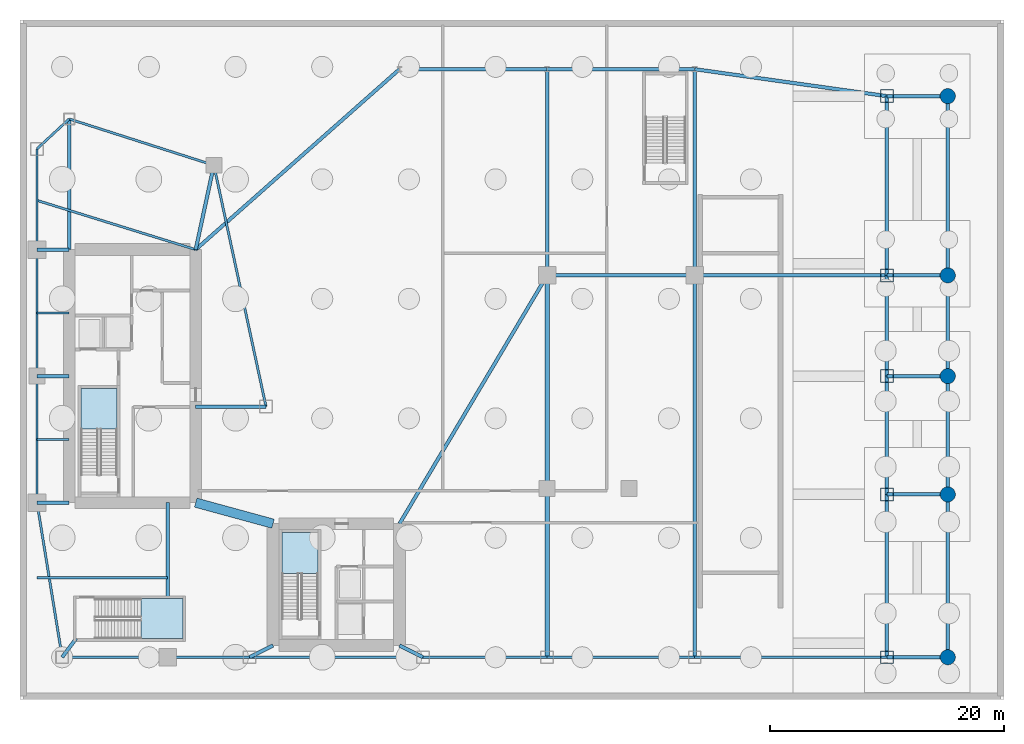
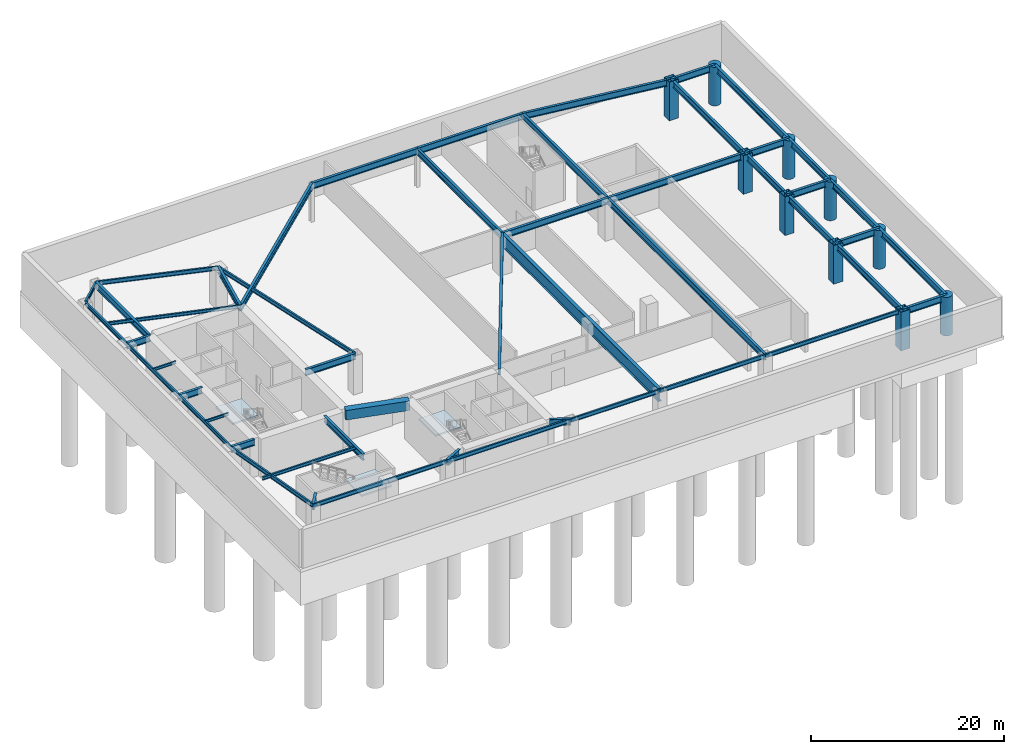
# One storey, part 3 of 12: 52 beams, 10 columns, 3 slabs, 3 elements without a shape of their own.
"""IFC4 building model written with IfcOpenShell, lengths in metres."""

from ifc_helpers import new_model, si_unit, direction, frame, origin, origin_2d, place, context, subcontext, project, spatial, polyline, rectangle, hollow_rectangle, circle, i_section, outline, extrude, material, layer, layer_set, material_profile, profile_set, type_object, element, aggregate, save


model = new_model("IFC4")

# Units and contexts
model_context = context("Model", 3, precision=1e-05, world=origin(), true_north=direction((0.0, 1.0)))
body_context = subcontext(model_context, "Body", "Model", "MODEL_VIEW")
ifc_project = project(units=[si_unit("LENGTHUNIT", "METRE"), si_unit("AREAUNIT", "SQUARE_METRE"), si_unit("VOLUMEUNIT", "CUBIC_METRE"), si_unit("PLANEANGLEUNIT", "RADIAN"), si_unit("MASSUNIT", "GRAM", prefix="KILO")], contexts=[model_context])

# Site, building, storey
site_placement = place(None, origin())
site = spatial("IfcSite", under=ifc_project, at=site_placement, CompositionType="ELEMENT")
building_placement = place(site_placement, origin())
building = spatial("IfcBuilding", under=site, at=building_placement, Name="Calvorn Quay Hotel", CompositionType="ELEMENT")
storey_placement = place(building_placement, frame((0.0, 0.0, -10.39990234375)))
storey = spatial("IfcBuildingStorey", under=building, at=storey_placement, Name="B2", CompositionType="ELEMENT", Elevation=-10.39990234375)

# Columns
ifc_material_1 = material(Name="Concrete C60", Category="concrete")
ifc_material_profile_1 = material_profile(ifc_material_1, circle(Radius=0.64990234375, at=origin_2d()), Name="RCD1300")
ifc_profile_set_1 = profile_set([ifc_material_profile_1], Name="Concrete C60")
column_type_1 = type_object("IfcColumnType", Name="COL-RC-D1300", PredefinedType="COLUMN", material=ifc_profile_set_1)
for number, where, z_axis, x_axis, name in (
    (1, (79.199951171875, 3.60009765625, 0.0), (0.0, 0.0, 1.0), (1.0, 0.0, 0.0), "Column C-PQ1 (B2)"),
    (2, (79.199951171875, 17.5, 0.0), (0.0, 0.0, 1.0), (1.0, 0.0, 0.0), "Column C-PQ2 (B2)"),
    (3, (79.199951171875, 27.60009765625, 0.0), (0.0, 0.0, 1.0), (1.0, 0.0, 0.0), "Column C-PQ3 (B2)"),
    (4, (79.199951171875, 36.199951171875, 0.0), (0.0, 0.0, 1.0), (1.0, 0.0, 0.0), "Column C-PQ4 (B2)"),
    (5, (79.199951171875, 51.5, 0.0), (0.0, 0.0, 1.0), (1.0, 0.0, 0.0), "Column C-PQ5 (B2)"),
):
    element("IfcColumn", number, at=place(storey_placement, frame(where, z_axis=z_axis, x_axis=x_axis)), inside=storey, type_object=column_type_1, Name=name, PredefinedType="COLUMN", context=body_context, shape_type="SweptSolid", body=[
        extrude(circle(Radius=0.64990234375, at=origin_2d()), origin(), (0.0, 0.0, 1.0), 4.8798828125),
    ])
ifc_material_2 = material(Name="Steel Q420GJC", Category="steel")
ifc_material_profile_2 = material_profile(ifc_material_2, hollow_rectangle(XDim=1.10009765625, YDim=1.10009765625, WallThickness=0.044921875, at=origin_2d()), Name="BOX1100x1100x45")
ifc_profile_set_2 = profile_set([ifc_material_profile_2], Name="Steel Q420GJC")
column_type_2 = type_object("IfcColumnType", Name="COL-STL-MEGA1", PredefinedType="COLUMN", material=ifc_profile_set_2)
for number, where, z_axis, x_axis, name in (
    (6, (74.0, 3.60009765625, 0.0), (0.0, 0.0, 1.0), (1.0, 0.0, 0.0), "Column C-PE1 (B2)"),
    (7, (74.0, 17.5, 0.0), (0.0, 0.0, 1.0), (1.0, 0.0, 0.0), "Column C-PE2 (B2)"),
    (8, (74.0, 27.60009765625, 0.0), (0.0, 0.0, 1.0), (1.0, 0.0, 0.0), "Column C-PE3 (B2)"),
    (9, (74.0, 36.199951171875, 0.0), (0.0, 0.0, 1.0), (1.0, 0.0, 0.0), "Column C-PE4 (B2)"),
    (10, (74.0, 51.5, 0.0), (0.0, 0.0, 1.0), (1.0, 0.0, 0.0), "Column C-PE5 (B2)"),
):
    element("IfcColumn", number, at=place(storey_placement, frame(where, z_axis=z_axis, x_axis=x_axis)), inside=storey, type_object=column_type_2, Name=name, PredefinedType="COLUMN", context=body_context, shape_type="SweptSolid", body=[
        extrude(hollow_rectangle(XDim=1.10009765625, YDim=1.10009765625, WallThickness=0.044921875, at=origin_2d()), origin(), (0.0, 0.0, 1.0), 4.8798828125),
    ])

# Beams
ifc_material_3 = material(Name="Steel Q390GJC", Category="steel")
ifc_material_profile_3 = material_profile(ifc_material_3, i_section(OverallWidth=0.300048828125, OverallDepth=0.800048828125, WebThickness=0.013916015625, FlangeThickness=0.02587890625, FilletRadius=0.02392578125, at=origin_2d()), Name="HN800x300x14x26")
ifc_profile_set_3 = profile_set([ifc_material_profile_3], Name="Steel Q390GJC")
beam_type_1 = type_object("IfcBeamType", Name="BM-GIRD-POD", PredefinedType="BEAM", material=ifc_profile_set_3)
beam_1_placement = place(storey_placement, frame((3.60009765625, 3.60009765625, 4.47998046875), z_axis=(0.600019532502, 0.799985350251, 0.0), x_axis=(-0.799985350251, 0.600019532502, 0.0)))
element("IfcBeam", 11, at=beam_1_placement, inside=storey, type_object=beam_type_1, Name="Beam BG-B2-W0", PredefinedType="BEAM", context=body_context, shape_type="SweptSolid", body=[
    extrude(i_section(OverallWidth=0.300048828125, OverallDepth=0.800048828125, WebThickness=0.013916015625, FlangeThickness=0.02587890625, FilletRadius=0.02392578125, at=origin_2d()), origin(), (0.0, 0.0, 1.0), 1.999755859375),
])
for number, where, z_axis, x_axis, name in (
    (12, (1.449951171875, 16.800048828125, 4.47998046875), (1.0, 0.0, 0.0), (0.0, 1.0, 0.0), "Beam BG-B2-W1"),
    (13, (1.449951171875, 27.60009765625, 4.47998046875), (1.0, 0.0, 0.0), (0.0, 1.0, 0.0), "Beam BG-B2-W2"),
    (14, (1.449951171875, 38.39990234375, 4.47998046875), (1.0, 0.0, 0.0), (0.0, 1.0, 0.0), "Beam BG-B2-W3"),
):
    element("IfcBeam", number, at=place(storey_placement, frame(where, z_axis=z_axis, x_axis=x_axis)), inside=storey, type_object=beam_type_1, Name=name, PredefinedType="BEAM", context=body_context, shape_type="SweptSolid", body=[
        extrude(i_section(OverallWidth=0.300048828125, OverallDepth=0.800048828125, WebThickness=0.013916015625, FlangeThickness=0.02587890625, FilletRadius=0.02392578125, at=origin_2d()), origin(), (0.0, 0.0, 1.0), 2.75),
    ])
beam_2_placement = place(storey_placement, frame((4.199951171875, 49.550048828125, 4.47998046875), z_axis=(0.0, -1.0, 0.0), x_axis=(1.0, 0.0, 0.0)))
element("IfcBeam", 15, at=beam_2_placement, inside=storey, type_object=beam_type_1, Name="Beam BG-B2-W5", PredefinedType="BEAM", context=body_context, shape_type="SweptSolid", body=[
    extrude(i_section(OverallWidth=0.300048828125, OverallDepth=0.800048828125, WebThickness=0.013916015625, FlangeThickness=0.02587890625, FilletRadius=0.02392578125, at=origin_2d()), origin(), (0.0, 0.0, 1.0), 11.150146484375),
])
beam_3_placement = place(storey_placement, frame((16.550048828125, 45.60009765625, 4.47998046875), z_axis=(-0.210457140491, -0.97760308511, 0.0), x_axis=(0.97760308511, -0.210457140491, 0.0)))
element("IfcBeam", 16, at=beam_3_placement, inside=storey, type_object=beam_type_1, Name="Beam BG-B2-W6", PredefinedType="BEAM", context=body_context, shape_type="SweptSolid", body=[
    extrude(i_section(OverallWidth=0.300048828125, OverallDepth=0.800048828125, WebThickness=0.013916015625, FlangeThickness=0.02587890625, FilletRadius=0.02392578125, at=origin_2d()), origin(), (0.0, 0.0, 1.0), 7.365234375),
])
beam_4_placement = place(storey_placement, frame((21.0, 25.0, 4.47998046875), z_axis=(-1.0, 0.0, 0.0), x_axis=(0.0, -1.0, 0.0)))
element("IfcBeam", 17, at=beam_4_placement, inside=storey, type_object=beam_type_1, Name="Beam BG-B2-W7", PredefinedType="BEAM", context=body_context, shape_type="SweptSolid", body=[
    extrude(i_section(OverallWidth=0.300048828125, OverallDepth=0.800048828125, WebThickness=0.013916015625, FlangeThickness=0.02587890625, FilletRadius=0.02392578125, at=origin_2d()), origin(), (0.0, 0.0, 1.0), 6.0),
])
beam_5_placement = place(storey_placement, frame((12.60009765625, 8.719970703125, 4.47998046875), z_axis=(0.0, 1.0, 0.0), x_axis=(-1.0, 0.0, 0.0)))
element("IfcBeam", 18, at=beam_5_placement, inside=storey, type_object=beam_type_1, Name="Beam BG-B2-S1", PredefinedType="BEAM", context=body_context, shape_type="SweptSolid", body=[
    extrude(i_section(OverallWidth=0.300048828125, OverallDepth=0.800048828125, WebThickness=0.013916015625, FlangeThickness=0.02587890625, FilletRadius=0.02392578125, at=origin_2d()), origin(), (0.0, 0.0, 1.0), 8.080078125),
])
for number, where, z_axis, x_axis, name in (
    (19, (19.60009765625, 3.60009765625, 4.47998046875), (0.894427191, 0.4472135955, 0.0), (-0.4472135955, 0.894427191, 0.0), "Beam BG-B2-S2"),
    (20, (34.39990234375, 3.60009765625, 4.47998046875), (-0.894427191, 0.4472135955, 0.0), (-0.4472135955, -0.894427191, 0.0), "Beam BG-B2-S3"),
):
    element("IfcBeam", number, at=place(storey_placement, frame(where, z_axis=z_axis, x_axis=x_axis)), inside=storey, type_object=beam_type_1, Name=name, PredefinedType="BEAM", context=body_context, shape_type="SweptSolid", body=[
        extrude(i_section(OverallWidth=0.300048828125, OverallDepth=0.800048828125, WebThickness=0.013916015625, FlangeThickness=0.02587890625, FilletRadius=0.02392578125, at=origin_2d()), origin(), (0.0, 0.0, 1.0), 2.236083984375),
    ])
beam_6_placement = place(storey_placement, frame((57.60009765625, 3.60009765625, 4.47998046875), z_axis=(0.0, 1.0, 0.0), x_axis=(-1.0, 0.0, 0.0)))
element("IfcBeam", 21, at=beam_6_placement, inside=storey, type_object=beam_type_1, Name="Beam BG-B2-C-PN2", PredefinedType="BEAM", context=body_context, shape_type="SweptSolid", body=[
    extrude(i_section(OverallWidth=0.300048828125, OverallDepth=0.800048828125, WebThickness=0.013916015625, FlangeThickness=0.02587890625, FilletRadius=0.02392578125, at=origin_2d()), origin(), (0.0, 0.0, 1.0), 32.599853515625),
])
beam_7_placement = place(storey_placement, frame((74.0, 3.60009765625, 4.47998046875), z_axis=(0.0, 1.0, 0.0), x_axis=(-1.0, 0.0, 0.0)))
element("IfcBeam", 22, at=beam_7_placement, inside=storey, type_object=beam_type_1, Name="Beam BG-B2-PE1", PredefinedType="BEAM", context=body_context, shape_type="SweptSolid", body=[
    extrude(i_section(OverallWidth=0.300048828125, OverallDepth=0.800048828125, WebThickness=0.013916015625, FlangeThickness=0.02587890625, FilletRadius=0.02392578125, at=origin_2d()), origin(), (0.0, 0.0, 1.0), 13.89990234375),
])
beam_8_placement = place(storey_placement, frame((74.0, 17.5, 4.47998046875), z_axis=(0.0, 1.0, 0.0), x_axis=(-1.0, 0.0, 0.0)))
element("IfcBeam", 23, at=beam_8_placement, inside=storey, type_object=beam_type_1, Name="Beam BG-B2-PE2", PredefinedType="BEAM", context=body_context, shape_type="SweptSolid", body=[
    extrude(i_section(OverallWidth=0.300048828125, OverallDepth=0.800048828125, WebThickness=0.013916015625, FlangeThickness=0.02587890625, FilletRadius=0.02392578125, at=origin_2d()), origin(), (0.0, 0.0, 1.0), 10.10009765625),
])
beam_9_placement = place(storey_placement, frame((74.0, 27.60009765625, 4.47998046875), z_axis=(0.0, 1.0, 0.0), x_axis=(-1.0, 0.0, 0.0)))
element("IfcBeam", 24, at=beam_9_placement, inside=storey, type_object=beam_type_1, Name="Beam BG-B2-PE3", PredefinedType="BEAM", context=body_context, shape_type="SweptSolid", body=[
    extrude(i_section(OverallWidth=0.300048828125, OverallDepth=0.800048828125, WebThickness=0.013916015625, FlangeThickness=0.02587890625, FilletRadius=0.02392578125, at=origin_2d()), origin(), (0.0, 0.0, 1.0), 8.599853515625),
])
beam_10_placement = place(storey_placement, frame((74.0, 36.199951171875, 4.47998046875), z_axis=(0.0, 1.0, 0.0), x_axis=(-1.0, 0.0, 0.0)))
element("IfcBeam", 25, at=beam_10_placement, inside=storey, type_object=beam_type_1, Name="Beam BG-B2-PE4", PredefinedType="BEAM", context=body_context, shape_type="SweptSolid", body=[
    extrude(i_section(OverallWidth=0.300048828125, OverallDepth=0.800048828125, WebThickness=0.013916015625, FlangeThickness=0.02587890625, FilletRadius=0.02392578125, at=origin_2d()), origin(), (0.0, 0.0, 1.0), 15.300048828125),
])
beam_11_placement = place(storey_placement, frame((32.39990234375, 15.0, 4.47998046875), z_axis=(0.510917247409, 0.859629900771, 0.0), x_axis=(-0.859629900771, 0.510917247409, 0.0)))
element("IfcBeam", 26, at=beam_11_placement, inside=storey, type_object=beam_type_1, Name="Beam BG-B2-PN1", PredefinedType="BEAM", context=body_context, shape_type="SweptSolid", body=[
    extrude(i_section(OverallWidth=0.300048828125, OverallDepth=0.800048828125, WebThickness=0.013916015625, FlangeThickness=0.02587890625, FilletRadius=0.02392578125, at=origin_2d()), origin(), (0.0, 0.0, 1.0), 24.66162109375),
])
beam_12_placement = place(storey_placement, frame((45.0, 36.199951171875, 4.47998046875), z_axis=(1.0, 0.0, 0.0), x_axis=(0.0, 1.0, 0.0)))
element("IfcBeam", 27, at=beam_12_placement, inside=storey, type_object=beam_type_1, Name="Beam BG-B2-PN2", PredefinedType="BEAM", context=body_context, shape_type="SweptSolid", body=[
    extrude(i_section(OverallWidth=0.300048828125, OverallDepth=0.800048828125, WebThickness=0.013916015625, FlangeThickness=0.02587890625, FilletRadius=0.02392578125, at=origin_2d()), origin(), (0.0, 0.0, 1.0), 12.60009765625),
])
beam_13_placement = place(storey_placement, frame((57.60009765625, 36.199951171875, 4.47998046875), z_axis=(1.0, 0.0, 0.0), x_axis=(0.0, 1.0, 0.0)))
element("IfcBeam", 28, at=beam_13_placement, inside=storey, type_object=beam_type_1, Name="Beam BG-B2-PN3", PredefinedType="BEAM", context=body_context, shape_type="SweptSolid", body=[
    extrude(i_section(OverallWidth=0.300048828125, OverallDepth=0.800048828125, WebThickness=0.013916015625, FlangeThickness=0.02587890625, FilletRadius=0.02392578125, at=origin_2d()), origin(), (0.0, 0.0, 1.0), 16.39990234375),
])
beam_14_placement = place(storey_placement, frame((15.0, 38.39990234375, 4.47998046875), z_axis=(0.748827276571, 0.662765199647, 0.0), x_axis=(-0.662765199647, 0.748827276571, 0.0)))
element("IfcBeam", 29, at=beam_14_placement, inside=storey, type_object=beam_type_1, Name="Beam BG-B2-PN4", PredefinedType="BEAM", context=body_context, shape_type="SweptSolid", body=[
    extrude(i_section(OverallWidth=0.300048828125, OverallDepth=0.800048828125, WebThickness=0.013916015625, FlangeThickness=0.02587890625, FilletRadius=0.02392578125, at=origin_2d()), origin(), (0.0, 0.0, 1.0), 23.236083984375),
])
for number, where, z_axis, x_axis, name in (
    (30, (32.39990234375, 53.800048828125, 4.47998046875), (1.0, 0.0, 0.0), (0.0, 1.0, 0.0), "Beam BG-B2-PN5"),
    (31, (45.0, 53.800048828125, 4.47998046875), (1.0, 0.0, 0.0), (0.0, 1.0, 0.0), "Beam BG-B2-PN6"),
):
    element("IfcBeam", number, at=place(storey_placement, frame(where, z_axis=z_axis, x_axis=x_axis)), inside=storey, type_object=beam_type_1, Name=name, PredefinedType="BEAM", context=body_context, shape_type="SweptSolid", body=[
        extrude(i_section(OverallWidth=0.300048828125, OverallDepth=0.800048828125, WebThickness=0.013916015625, FlangeThickness=0.02587890625, FilletRadius=0.02392578125, at=origin_2d()), origin(), (0.0, 0.0, 1.0), 12.60009765625),
    ])
beam_15_placement = place(storey_placement, frame((57.60009765625, 53.800048828125, 4.47998046875), z_axis=(0.990308033684, -0.138888438761, 0.0), x_axis=(0.138888438761, 0.990308033684, 0.0)))
element("IfcBeam", 32, at=beam_15_placement, inside=storey, type_object=beam_type_1, Name="Beam BG-B2-PN7", PredefinedType="BEAM", context=body_context, shape_type="SweptSolid", body=[
    extrude(i_section(OverallWidth=0.300048828125, OverallDepth=0.800048828125, WebThickness=0.013916015625, FlangeThickness=0.02587890625, FilletRadius=0.02392578125, at=origin_2d()), origin(), (0.0, 0.0, 1.0), 16.560302734375),
])
for number, where, z_axis, x_axis, name in (
    (33, (45.0, 36.199951171875, 4.47998046875), (0.0, 1.0, 0.0), (-1.0, 0.0, 0.0), "Beam BG-B2-PN8"),
    (34, (57.60009765625, 36.199951171875, 4.47998046875), (0.0, 1.0, 0.0), (-1.0, 0.0, 0.0), "Beam BG-B2-PN9"),
):
    element("IfcBeam", number, at=place(storey_placement, frame(where, z_axis=z_axis, x_axis=x_axis)), inside=storey, type_object=beam_type_1, Name=name, PredefinedType="BEAM", context=body_context, shape_type="SweptSolid", body=[
        extrude(i_section(OverallWidth=0.300048828125, OverallDepth=0.800048828125, WebThickness=0.013916015625, FlangeThickness=0.02587890625, FilletRadius=0.02392578125, at=origin_2d()), origin(), (0.0, 0.0, 1.0), 17.60009765625),
    ])
beam_16_placement = place(storey_placement, frame((79.199951171875, 3.60009765625, 4.47998046875), z_axis=(0.0, 1.0, 0.0), x_axis=(-1.0, 0.0, 0.0)))
element("IfcBeam", 35, at=beam_16_placement, inside=storey, type_object=beam_type_1, Name="Beam BSP-B2-Q1", PredefinedType="BEAM", context=body_context, shape_type="SweptSolid", body=[
    extrude(i_section(OverallWidth=0.300048828125, OverallDepth=0.800048828125, WebThickness=0.013916015625, FlangeThickness=0.02587890625, FilletRadius=0.02392578125, at=origin_2d()), origin(), (0.0, 0.0, 1.0), 13.89990234375),
])
beam_17_placement = place(storey_placement, frame((79.199951171875, 17.5, 4.47998046875), z_axis=(0.0, 1.0, 0.0), x_axis=(-1.0, 0.0, 0.0)))
element("IfcBeam", 36, at=beam_17_placement, inside=storey, type_object=beam_type_1, Name="Beam BSP-B2-Q2", PredefinedType="BEAM", context=body_context, shape_type="SweptSolid", body=[
    extrude(i_section(OverallWidth=0.300048828125, OverallDepth=0.800048828125, WebThickness=0.013916015625, FlangeThickness=0.02587890625, FilletRadius=0.02392578125, at=origin_2d()), origin(), (0.0, 0.0, 1.0), 10.10009765625),
])
beam_18_placement = place(storey_placement, frame((79.199951171875, 27.60009765625, 4.47998046875), z_axis=(0.0, 1.0, 0.0), x_axis=(-1.0, 0.0, 0.0)))
element("IfcBeam", 37, at=beam_18_placement, inside=storey, type_object=beam_type_1, Name="Beam BSP-B2-Q3", PredefinedType="BEAM", context=body_context, shape_type="SweptSolid", body=[
    extrude(i_section(OverallWidth=0.300048828125, OverallDepth=0.800048828125, WebThickness=0.013916015625, FlangeThickness=0.02587890625, FilletRadius=0.02392578125, at=origin_2d()), origin(), (0.0, 0.0, 1.0), 8.599853515625),
])
beam_19_placement = place(storey_placement, frame((79.199951171875, 36.199951171875, 4.47998046875), z_axis=(0.0, 1.0, 0.0), x_axis=(-1.0, 0.0, 0.0)))
element("IfcBeam", 38, at=beam_19_placement, inside=storey, type_object=beam_type_1, Name="Beam BSP-B2-Q4", PredefinedType="BEAM", context=body_context, shape_type="SweptSolid", body=[
    extrude(i_section(OverallWidth=0.300048828125, OverallDepth=0.800048828125, WebThickness=0.013916015625, FlangeThickness=0.02587890625, FilletRadius=0.02392578125, at=origin_2d()), origin(), (0.0, 0.0, 1.0), 15.300048828125),
])
for number, where, z_axis, x_axis, name in (
    (39, (74.0, 3.60009765625, 4.47998046875), (1.0, 0.0, 0.0), (0.0, 1.0, 0.0), "Beam BG-B2-EQ1"),
    (40, (74.0, 17.5, 4.47998046875), (1.0, 0.0, 0.0), (0.0, 1.0, 0.0), "Beam BG-B2-EQ2"),
    (41, (74.0, 27.60009765625, 4.47998046875), (1.0, 0.0, 0.0), (0.0, 1.0, 0.0), "Beam BG-B2-EQ3"),
    (42, (74.0, 36.199951171875, 4.47998046875), (1.0, 0.0, 0.0), (0.0, 1.0, 0.0), "Beam BG-B2-EQ4"),
    (43, (74.0, 51.5, 4.47998046875), (1.0, 0.0, 0.0), (0.0, 1.0, 0.0), "Beam BG-B2-EQ5"),
):
    element("IfcBeam", number, at=place(storey_placement, frame(where, z_axis=z_axis, x_axis=x_axis)), inside=storey, type_object=beam_type_1, Name=name, PredefinedType="BEAM", context=body_context, shape_type="SweptSolid", body=[
        extrude(i_section(OverallWidth=0.300048828125, OverallDepth=0.800048828125, WebThickness=0.013916015625, FlangeThickness=0.02587890625, FilletRadius=0.02392578125, at=origin_2d()), origin(), (0.0, 0.0, 1.0), 5.199951171875),
    ])
ifc_material_4 = material(Name="Steel Q355B", Category="steel")
ifc_material_profile_4 = material_profile(ifc_material_4, i_section(OverallWidth=0.175048828125, OverallDepth=0.35009765625, WebThickness=0.007080078125, FlangeThickness=0.010986328125, FilletRadius=0.013916015625, at=origin_2d()), Name="HN350x175x7x11")
ifc_profile_set_4 = profile_set([ifc_material_profile_4], Name="Steel Q355B")
beam_type_2 = type_object("IfcBeamType", Name="BM-JOIST-SEC", PredefinedType="JOIST", material=ifc_profile_set_4)
for number, where, z_axis, x_axis, name in (
    (44, (1.449951171875, 22.199951171875, 4.704833984375), (1.0, 0.0, 0.0), (0.0, 1.0, 0.0), "Beam BJ-B2-W3"),
    (45, (1.449951171875, 33.0, 4.704833984375), (1.0, 0.0, 0.0), (0.0, 1.0, 0.0), "Beam BJ-B2-W4"),
):
    element("IfcBeam", number, at=place(storey_placement, frame(where, z_axis=z_axis, x_axis=x_axis)), inside=storey, type_object=beam_type_2, Name=name, PredefinedType="JOIST", context=body_context, shape_type="SweptSolid", body=[
        extrude(i_section(OverallWidth=0.175048828125, OverallDepth=0.35009765625, WebThickness=0.007080078125, FlangeThickness=0.010986328125, FilletRadius=0.013916015625, at=origin_2d()), origin(), (0.0, 0.0, 1.0), 2.75),
    ])
ifc_material_5 = material(Name="Steel Q355B", Category="steel")
ifc_material_profile_5 = material_profile(ifc_material_5, i_section(OverallWidth=0.199951171875, OverallDepth=0.39990234375, WebThickness=0.008056640625, FlangeThickness=0.012939453125, FilletRadius=0.01611328125, at=origin_2d()), Name="HN400x200x8x13")
ifc_profile_set_5 = profile_set([ifc_material_profile_5], Name="Steel Q355B")
beam_type_3 = type_object("IfcBeamType", Name="BM-JOIST-TYP", PredefinedType="JOIST", material=ifc_profile_set_5)
beam_20_placement = place(storey_placement, frame((1.449951171875, 10.39990234375, 4.679931640625), z_axis=(1.0, 0.0, 0.0), x_axis=(0.0, 1.0, 0.0)))
element("IfcBeam", 46, at=beam_20_placement, inside=storey, type_object=beam_type_3, Name="Beam BJ-B2-W1", PredefinedType="JOIST", context=body_context, shape_type="SweptSolid", body=[
    extrude(i_section(OverallWidth=0.199951171875, OverallDepth=0.39990234375, WebThickness=0.008056640625, FlangeThickness=0.012939453125, FilletRadius=0.01611328125, at=origin_2d()), origin(), (0.0, 0.0, 1.0), 11.150146484375),
])
beam_21_placement = place(storey_placement, frame((1.449951171875, 42.60009765625, 4.679931640625), z_axis=(0.955163702122, -0.296078202759, 0.0), x_axis=(0.296078202759, 0.955163702122, 0.0)))
element("IfcBeam", 47, at=beam_21_placement, inside=storey, type_object=beam_type_3, Name="Beam BJ-B2-W2", PredefinedType="JOIST", context=body_context, shape_type="SweptSolid", body=[
    extrude(i_section(OverallWidth=0.199951171875, OverallDepth=0.39990234375, WebThickness=0.008056640625, FlangeThickness=0.012939453125, FilletRadius=0.01611328125, at=origin_2d()), origin(), (0.0, 0.0, 1.0), 14.18603515625),
])
ifc_material_6 = material(Name="Steel Q390GJC", Category="steel")
ifc_material_profile_6 = material_profile(ifc_material_6, i_section(OverallWidth=0.39990234375, OverallDepth=1.60009765625, WebThickness=0.02392578125, FlangeThickness=0.0400390625, at=origin_2d()), Name="HN1600x400x24x40")
ifc_profile_set_6 = profile_set([ifc_material_profile_6], Name="Steel Q390GJC")
beam_type_4 = type_object("IfcBeamType", Name="BM-POD-LONG-1600", PredefinedType="BEAM", material=ifc_profile_set_6)
beam_22_placement = place(storey_placement, frame((45.0, 3.60009765625, 4.079833984375), z_axis=(0.0, 1.0, 0.0), x_axis=(-1.0, 0.0, 0.0)))
element("IfcBeam", 48, at=beam_22_placement, inside=storey, type_object=beam_type_4, Name="Beam BG-B2-C-PN1", PredefinedType="BEAM", context=body_context, shape_type="SweptSolid", body=[
    extrude(i_section(OverallWidth=0.39990234375, OverallDepth=1.60009765625, WebThickness=0.02392578125, FlangeThickness=0.0400390625, at=origin_2d()), origin(), (0.0, 0.0, 1.0), 32.599853515625),
])
ifc_material_7 = material(Name="Concrete C60", Category="concrete")
ifc_material_profile_7 = material_profile(ifc_material_7, rectangle(XDim=0.800048828125, YDim=1.199951171875, at=origin_2d()), Name="RCB800x1200")
ifc_profile_set_7 = profile_set([ifc_material_profile_7], Name="Concrete C60")
beam_type_5 = type_object("IfcBeamType", Name="BM-RC-LINK-800x1200", PredefinedType="BEAM", material=ifc_profile_set_7)
beam_23_placement = place(storey_placement, frame((15.0, 16.800048828125, 4.27978515625), z_axis=(0.964762997686, -0.263120425462, 0.0), x_axis=(0.263120425462, 0.964762997686, 0.0)))
element("IfcBeam", 49, at=beam_23_placement, inside=storey, type_object=beam_type_5, Name="Beam BCL-B2-01", PredefinedType="BEAM", context=body_context, shape_type="SweptSolid", body=[
    extrude(rectangle(XDim=0.800048828125, YDim=1.199951171875, at=origin_2d()), origin(), (0.0, 0.0, 1.0), 6.841064453125),
])
ifc_material_8 = material(Name="Steel Q355B", Category="steel")
ifc_material_profile_8 = material_profile(ifc_material_8, i_section(OverallWidth=0.199951171875, OverallDepth=0.5, WebThickness=0.010009765625, FlangeThickness=0.01611328125, FilletRadius=0.01611328125, at=origin_2d()), Name="HN500x200x10x16")
ifc_profile_set_8 = profile_set([ifc_material_profile_8], Name="Steel Q355B")
beam_type_6 = type_object("IfcBeamType", Name="BM-SPANDREL-Z1", PredefinedType="SPANDREL", material=ifc_profile_set_8)
beam_24_placement = place(storey_placement, frame((3.60009765625, 3.60009765625, 4.6298828125), z_axis=(-0.16077155054, 0.986991645627, 0.0), x_axis=(-0.986991645627, -0.16077155054, 0.0)))
element("IfcBeam", 50, at=beam_24_placement, inside=storey, type_object=beam_type_6, Name="Beam BSP-B2-W1", PredefinedType="SPANDREL", context=body_context, shape_type="SweptSolid", body=[
    extrude(i_section(OverallWidth=0.199951171875, OverallDepth=0.5, WebThickness=0.010009765625, FlangeThickness=0.01611328125, FilletRadius=0.01611328125, at=origin_2d()), origin(), (0.0, 0.0, 1.0), 13.3740234375),
])
beam_25_placement = place(storey_placement, frame((1.449951171875, 16.800048828125, 4.6298828125), z_axis=(0.0, 1.0, 0.0), x_axis=(-1.0, 0.0, 0.0)))
element("IfcBeam", 51, at=beam_25_placement, inside=storey, type_object=beam_type_6, Name="Beam BSP-B2-W2", PredefinedType="SPANDREL", context=body_context, shape_type="SweptSolid", body=[
    extrude(i_section(OverallWidth=0.199951171875, OverallDepth=0.5, WebThickness=0.010009765625, FlangeThickness=0.01611328125, FilletRadius=0.01611328125, at=origin_2d()), origin(), (0.0, 0.0, 1.0), 10.800048828125),
])
beam_26_placement = place(storey_placement, frame((1.449951171875, 27.60009765625, 4.6298828125), z_axis=(0.0, 1.0, 0.0), x_axis=(-1.0, 0.0, 0.0)))
element("IfcBeam", 52, at=beam_26_placement, inside=storey, type_object=beam_type_6, Name="Beam BSP-B2-W3", PredefinedType="SPANDREL", context=body_context, shape_type="SweptSolid", body=[
    extrude(i_section(OverallWidth=0.199951171875, OverallDepth=0.5, WebThickness=0.010009765625, FlangeThickness=0.01611328125, FilletRadius=0.01611328125, at=origin_2d()), origin(), (0.0, 0.0, 1.0), 10.7998046875),
])
beam_27_placement = place(storey_placement, frame((1.449951171875, 38.39990234375, 4.6298828125), z_axis=(0.0, 1.0, 0.0), x_axis=(-1.0, 0.0, 0.0)))
element("IfcBeam", 53, at=beam_27_placement, inside=storey, type_object=beam_type_6, Name="Beam BSP-B2-W4", PredefinedType="SPANDREL", context=body_context, shape_type="SweptSolid", body=[
    extrude(i_section(OverallWidth=0.199951171875, OverallDepth=0.5, WebThickness=0.010009765625, FlangeThickness=0.01611328125, FilletRadius=0.01611328125, at=origin_2d()), origin(), (0.0, 0.0, 1.0), 8.60009765625),
])
beam_28_placement = place(storey_placement, frame((1.449951171875, 47.0, 4.6298828125), z_axis=(0.733261665538, 0.679946563969, 0.0), x_axis=(-0.679946563969, 0.733261665538, 0.0)))
element("IfcBeam", 54, at=beam_28_placement, inside=storey, type_object=beam_type_6, Name="Beam BSP-B2-W5", PredefinedType="SPANDREL", context=body_context, shape_type="SweptSolid", body=[
    extrude(i_section(OverallWidth=0.199951171875, OverallDepth=0.5, WebThickness=0.010009765625, FlangeThickness=0.01611328125, FilletRadius=0.01611328125, at=origin_2d()), origin(), (0.0, 0.0, 1.0), 3.75048828125),
])
beam_29_placement = place(storey_placement, frame((4.199951171875, 49.550048828125, 4.6298828125), z_axis=(0.952470702374, -0.304630203885, 0.0), x_axis=(0.304630203885, 0.952470702374, 0.0)))
element("IfcBeam", 55, at=beam_29_placement, inside=storey, type_object=beam_type_6, Name="Beam BSP-B2-W6", PredefinedType="SPANDREL", context=body_context, shape_type="SweptSolid", body=[
    extrude(i_section(OverallWidth=0.199951171875, OverallDepth=0.5, WebThickness=0.010009765625, FlangeThickness=0.01611328125, FilletRadius=0.01611328125, at=origin_2d()), origin(), (0.0, 0.0, 1.0), 12.96630859375),
])
beam_30_placement = place(storey_placement, frame((16.550048828125, 45.60009765625, 4.6298828125), z_axis=(0.211145848376, -0.977454567084, 0.0), x_axis=(0.977454567084, 0.211145848376, 0.0)))
element("IfcBeam", 56, at=beam_30_placement, inside=storey, type_object=beam_type_6, Name="Beam BSP-B2-W7", PredefinedType="SPANDREL", context=body_context, shape_type="SweptSolid", body=[
    extrude(i_section(OverallWidth=0.199951171875, OverallDepth=0.5, WebThickness=0.010009765625, FlangeThickness=0.01611328125, FilletRadius=0.01611328125, at=origin_2d()), origin(), (0.0, 0.0, 1.0), 21.0751953125),
])
beam_31_placement = place(storey_placement, frame((3.60009765625, 3.60009765625, 4.6298828125), z_axis=(1.0, 0.0, 0.0), x_axis=(0.0, 1.0, 0.0)))
element("IfcBeam", 57, at=beam_31_placement, inside=storey, type_object=beam_type_6, Name="Beam BSP-B2-S1", PredefinedType="SPANDREL", context=body_context, shape_type="SweptSolid", body=[
    extrude(i_section(OverallWidth=0.199951171875, OverallDepth=0.5, WebThickness=0.010009765625, FlangeThickness=0.01611328125, FilletRadius=0.01611328125, at=origin_2d()), origin(), (0.0, 0.0, 1.0), 9.0),
])
beam_32_placement = place(storey_placement, frame((12.60009765625, 3.60009765625, 4.6298828125), z_axis=(1.0, 0.0, 0.0), x_axis=(0.0, 1.0, 0.0)))
element("IfcBeam", 58, at=beam_32_placement, inside=storey, type_object=beam_type_6, Name="Beam BSP-B2-S2", PredefinedType="SPANDREL", context=body_context, shape_type="SweptSolid", body=[
    extrude(i_section(OverallWidth=0.199951171875, OverallDepth=0.5, WebThickness=0.010009765625, FlangeThickness=0.01611328125, FilletRadius=0.01611328125, at=origin_2d()), origin(), (0.0, 0.0, 1.0), 7.0),
])
beam_33_placement = place(storey_placement, frame((19.60009765625, 3.60009765625, 4.6298828125), z_axis=(1.0, 0.0, 0.0), x_axis=(0.0, 1.0, 0.0)))
element("IfcBeam", 59, at=beam_33_placement, inside=storey, type_object=beam_type_6, Name="Beam BSP-B2-S3", PredefinedType="SPANDREL", context=body_context, shape_type="SweptSolid", body=[
    extrude(i_section(OverallWidth=0.199951171875, OverallDepth=0.5, WebThickness=0.010009765625, FlangeThickness=0.01611328125, FilletRadius=0.01611328125, at=origin_2d()), origin(), (0.0, 0.0, 1.0), 14.7998046875),
])
beam_34_placement = place(storey_placement, frame((34.39990234375, 3.60009765625, 4.6298828125), z_axis=(1.0, 0.0, 0.0), x_axis=(0.0, 1.0, 0.0)))
element("IfcBeam", 60, at=beam_34_placement, inside=storey, type_object=beam_type_6, Name="Beam BSP-B2-S4", PredefinedType="SPANDREL", context=body_context, shape_type="SweptSolid", body=[
    extrude(i_section(OverallWidth=0.199951171875, OverallDepth=0.5, WebThickness=0.010009765625, FlangeThickness=0.01611328125, FilletRadius=0.01611328125, at=origin_2d()), origin(), (0.0, 0.0, 1.0), 10.60009765625),
])
beam_35_placement = place(storey_placement, frame((45.0, 3.60009765625, 4.6298828125), z_axis=(1.0, 0.0, 0.0), x_axis=(0.0, 1.0, 0.0)))
element("IfcBeam", 61, at=beam_35_placement, inside=storey, type_object=beam_type_6, Name="Beam BSP-B2-S5", PredefinedType="SPANDREL", context=body_context, shape_type="SweptSolid", body=[
    extrude(i_section(OverallWidth=0.199951171875, OverallDepth=0.5, WebThickness=0.010009765625, FlangeThickness=0.01611328125, FilletRadius=0.01611328125, at=origin_2d()), origin(), (0.0, 0.0, 1.0), 12.60009765625),
])
beam_36_placement = place(storey_placement, frame((57.60009765625, 3.60009765625, 4.6298828125), z_axis=(1.0, 0.0, 0.0), x_axis=(0.0, 1.0, 0.0)))
element("IfcBeam", 62, at=beam_36_placement, inside=storey, type_object=beam_type_6, Name="Beam BSP-B2-S6", PredefinedType="SPANDREL", context=body_context, shape_type="SweptSolid", body=[
    extrude(i_section(OverallWidth=0.199951171875, OverallDepth=0.5, WebThickness=0.010009765625, FlangeThickness=0.01611328125, FilletRadius=0.01611328125, at=origin_2d()), origin(), (0.0, 0.0, 1.0), 16.39990234375),
])

# Stair, slab
ifc_material_9 = material(Name="Concrete C40", Category="concrete")
stair_type_1 = type_object("IfcStairType", Name="STR-CORE-DOGLEG", PredefinedType="HALF_TURN_STAIR", material=ifc_material_9)
stair_1_placement = place(storey_placement, origin())
stair_1 = element("IfcStair", 63, at=stair_1_placement, inside=storey, type_object=stair_type_1, Name="B2 ST-W", PredefinedType="HALF_TURN_STAIR")
ifc_material_10 = material(Name="Concrete C40", Category="concrete")
ifc_layer = layer(ifc_material_10, 0.199951171875)
ifc_layer_set = layer_set([ifc_layer], Name="SLB-STAIR-LANDING-200")
slab_type = type_object("IfcSlabType", Name="SLB-STAIR-LANDING-200", PredefinedType="LANDING", material=ifc_layer_set)
slab_1_placement = place(storey_placement, frame((0.0, 0.0, 2.39990234375)))
slab_1 = element("IfcSlab", 64, at=slab_1_placement, type_object=slab_type, Name="ST-W landing 1", PredefinedType="LANDING", context=body_context, shape_type="SweptSolid", body=[
    extrude(outline(polyline([(8.300048828125, 23.070068359375), (8.300048828125, 26.550048828125), (5.199951171875, 26.550048828125), (5.199951171875, 23.070068359375), (8.300048828125, 23.070068359375)])), origin(), (0.0, 0.0, 1.0), 0.199951171875),
])
aggregate(stair_1, [slab_1])

stair_2_placement = place(storey_placement, origin())
stair_2 = element("IfcStair", 65, at=stair_2_placement, inside=storey, type_object=stair_type_1, Name="B2 ST-E", PredefinedType="HALF_TURN_STAIR")
slab_2_placement = place(storey_placement, frame((0.0, 0.0, 2.39990234375)))
slab_2 = element("IfcSlab", 66, at=slab_2_placement, type_object=slab_type, Name="ST-E landing 1", PredefinedType="LANDING", context=body_context, shape_type="SweptSolid", body=[
    extrude(outline(polyline([(25.449951171875, 10.77001953125), (25.449951171875, 14.25), (22.35009765625, 14.25), (22.35009765625, 10.77001953125), (25.449951171875, 10.77001953125)])), origin(), (0.0, 0.0, 1.0), 0.199951171875),
])
aggregate(stair_2, [slab_2])

ifc_material_11 = material(Name="Concrete C40", Category="concrete")
stair_type_2 = type_object("IfcStairType", Name="STR-POD-DOGLEG", PredefinedType="TWO_QUARTER_TURN_STAIR", material=ifc_material_11)
stair_3_placement = place(storey_placement, origin())
stair_3 = element("IfcStair", 67, at=stair_3_placement, inside=storey, type_object=stair_type_2, Name="B2 ST-P2", PredefinedType="TWO_QUARTER_TURN_STAIR")
slab_3_placement = place(storey_placement, frame((0.0, 0.0, 2.39990234375)))
slab_3 = element("IfcSlab", 68, at=slab_3_placement, type_object=slab_type, Name="ST-P2 landing 1", PredefinedType="LANDING", context=body_context, shape_type="SweptSolid", body=[
    extrude(outline(polyline([(10.320068359375, 5.199951171875), (13.89990234375, 5.199951171875), (13.89990234375, 8.60009765625), (10.320068359375, 8.60009765625), (10.320068359375, 5.199951171875)])), origin(), (0.0, 0.0, 1.0), 0.199951171875),
])
aggregate(stair_3, [slab_3])

save(model, "model.ifc")
